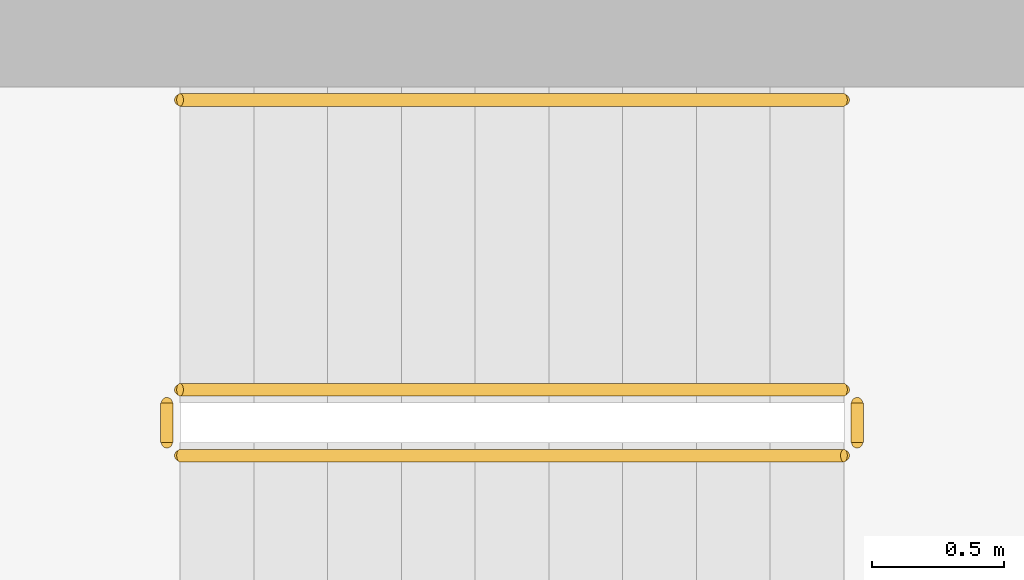
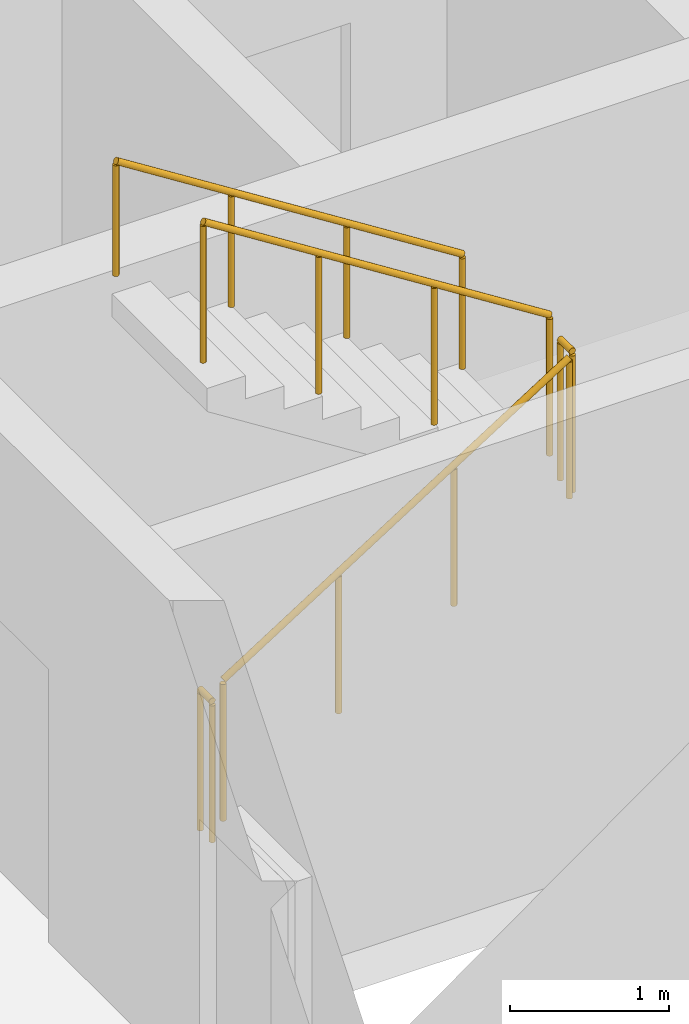
# One storey, part 15 of 17: 5 railings.
"""IFC4 building model written with IfcOpenShell, lengths in metres."""

from ifc_helpers import new_model, si_unit, direction, frame, origin, origin_2d, place, context, subcontext, project, spatial, circle, extrude, material, type_object, element, save


model = new_model("IFC4")

# Units and contexts
model_context = context("Model", 3, precision=1e-05, world=origin(), true_north=direction((0.0, 1.0)))
body_context = subcontext(model_context, "Body", "Model", "MODEL_VIEW")
ifc_project = project(units=[si_unit("LENGTHUNIT", "METRE"), si_unit("AREAUNIT", "SQUARE_METRE"), si_unit("VOLUMEUNIT", "CUBIC_METRE"), si_unit("PLANEANGLEUNIT", "RADIAN"), si_unit("MASSUNIT", "GRAM", prefix="KILO")], contexts=[model_context])

# Site, building, storey
site_placement = place(None, origin())
site = spatial("IfcSite", under=ifc_project, at=site_placement, CompositionType="ELEMENT")
building_placement = place(site_placement, origin())
building = spatial("IfcBuilding", under=site, at=building_placement, Name="Ostrand Prow Hotel Tower", CompositionType="ELEMENT")
storey_placement = place(building_placement, frame((0.0, 0.0, 175.5)))
storey = spatial("IfcBuildingStorey", under=building, at=storey_placement, Name="L43", CompositionType="ELEMENT", Elevation=175.5)

# Railings
ifc_material_1 = material(Name="Painted steel", Category="steel")
railing_type_1 = type_object("IfcRailingType", Name="Stair guard 1100", PredefinedType="GUARDRAIL", material=ifc_material_1)
railing_1_placement = place(storey_placement, frame((57.199951171875, -11.75, 0.177490234375)))
element("IfcRailing", 1, at=railing_1_placement, inside=storey, type_object=railing_type_1, Name="L43 ST2C stair guard 1", PredefinedType="GUARDRAIL", context=body_context, shape_type="SweptSolid", body=[
    extrude(circle(Radius=0.02392578125, at=origin_2d()), frame((0.0, 0.0, 1.076171875), z_axis=(0.84460694969, 0.0, 0.535386869969), x_axis=(0.0, 1.0, 0.0)), (0.0, 0.0, 1.0), 2.983642578125),
    extrude(circle(Radius=0.02099609375, at=origin_2d()), origin(), (0.0, 0.0, 1.0), 1.052001953125),
    extrude(circle(Radius=0.02099609375, at=origin_2d()), frame((0.840087890625, 0.0, 0.532470703125)), (0.0, 0.0, 1.0), 1.052001953125),
    extrude(circle(Radius=0.02099609375, at=origin_2d()), frame((1.679931640625, 0.0, 1.06494140625)), (0.0, 0.0, 1.0), 1.052001953125),
    extrude(circle(Radius=0.02099609375, at=origin_2d()), frame((2.52001953125, 0.0, 1.597412109375)), (0.0, 0.0, 1.0), 1.052001953125),
])
railing_2_placement = place(storey_placement, frame((59.77001953125, -11.699951171875, 1.77490234375)))
element("IfcRailing", 2, at=railing_2_placement, inside=storey, type_object=railing_type_1, Name="L43 ST2C stair guard 2", PredefinedType="GUARDRAIL", context=body_context, shape_type="SweptSolid", body=[
    extrude(circle(Radius=0.02392578125, at=origin_2d()), frame((0.0, 0.0, 1.076171875), z_axis=(0.0, 1.0, 0.0), x_axis=(-1.0, 0.0, 0.0)), (0.0, 0.0, 1.0), 0.14990234375),
    extrude(circle(Radius=0.02099609375, at=origin_2d()), origin(), (0.0, 0.0, 1.0), 1.052001953125),
    extrude(circle(Radius=0.02099609375, at=origin_2d()), frame((0.0, 0.14990234375, 0.0)), (0.0, 0.0, 1.0), 1.052001953125),
])
railing_3_placement = place(storey_placement, frame((59.719970703125, -11.5, 1.952392578125)))
element("IfcRailing", 3, at=railing_3_placement, inside=storey, type_object=railing_type_1, Name="L43 ST2C stair guard 3", PredefinedType="GUARDRAIL", context=body_context, shape_type="SweptSolid", body=[
    extrude(circle(Radius=0.02392578125, at=origin_2d()), frame((0.0, 0.0, 1.076171875), z_axis=(-0.84456994832, 0.0, 0.535445237532), x_axis=(0.0, -1.0, 0.0)), (0.0, 0.0, 1.0), 2.98388671875),
    extrude(circle(Radius=0.02099609375, at=origin_2d()), origin(), (0.0, 0.0, 1.0), 1.052001953125),
    extrude(circle(Radius=0.02099609375, at=origin_2d()), frame((-0.840087890625, 0.0, 0.532470703125)), (0.0, 0.0, 1.0), 1.052001953125),
    extrude(circle(Radius=0.02099609375, at=origin_2d()), frame((-1.679931640625, 0.0, 1.065185546875)), (0.0, 0.0, 1.0), 1.052001953125),
    extrude(circle(Radius=0.02099609375, at=origin_2d()), frame((-2.52001953125, 0.0, 1.59765625)), (0.0, 0.0, 1.0), 1.052001953125),
])
railing_4_placement = place(storey_placement, frame((57.14990234375, -11.699951171875, 0.0)))
element("IfcRailing", 4, at=railing_4_placement, inside=storey, type_object=railing_type_1, Name="L43 ST2C stair guard 4", PredefinedType="GUARDRAIL", context=body_context, shape_type="SweptSolid", body=[
    extrude(circle(Radius=0.02392578125, at=origin_2d()), frame((0.0, 0.0, 1.076171875), z_axis=(0.0, 1.0, 0.0), x_axis=(-1.0, 0.0, 0.0)), (0.0, 0.0, 1.0), 0.14990234375),
    extrude(circle(Radius=0.02099609375, at=origin_2d()), origin(), (0.0, 0.0, 1.0), 1.052001953125),
    extrude(circle(Radius=0.02099609375, at=origin_2d()), frame((0.0, 0.14990234375, 0.0)), (0.0, 0.0, 1.0), 1.052001953125),
])
ifc_material_2 = material(Name="Stainless steel", Category="steel")
railing_type_2 = type_object("IfcRailingType", Name="Stair handrail 900", PredefinedType="HANDRAIL", material=ifc_material_2)
railing_5_placement = place(storey_placement, frame((59.719970703125, -10.39990234375, 1.952392578125)))
element("IfcRailing", 5, at=railing_5_placement, inside=storey, type_object=railing_type_2, Name="L43 ST2C stair handrail 2", PredefinedType="HANDRAIL", context=body_context, shape_type="SweptSolid", body=[
    extrude(circle(Radius=0.02392578125, at=origin_2d()), frame((0.0, 0.0, 0.8759765625), z_axis=(-0.84456994832, 0.0, 0.535445237532), x_axis=(0.0, -1.0, 0.0)), (0.0, 0.0, 1.0), 2.98388671875),
    extrude(circle(Radius=0.02099609375, at=origin_2d()), origin(), (0.0, 0.0, 1.0), 0.851806640625),
    extrude(circle(Radius=0.02099609375, at=origin_2d()), frame((-0.840087890625, 0.0, 0.532470703125)), (0.0, 0.0, 1.0), 0.851806640625),
    extrude(circle(Radius=0.02099609375, at=origin_2d()), frame((-1.679931640625, 0.0, 1.065185546875)), (0.0, 0.0, 1.0), 0.851806640625),
    extrude(circle(Radius=0.02099609375, at=origin_2d()), frame((-2.52001953125, 0.0, 1.59765625)), (0.0, 0.0, 1.0), 0.851806640625),
])

save(model, "model.ifc")
